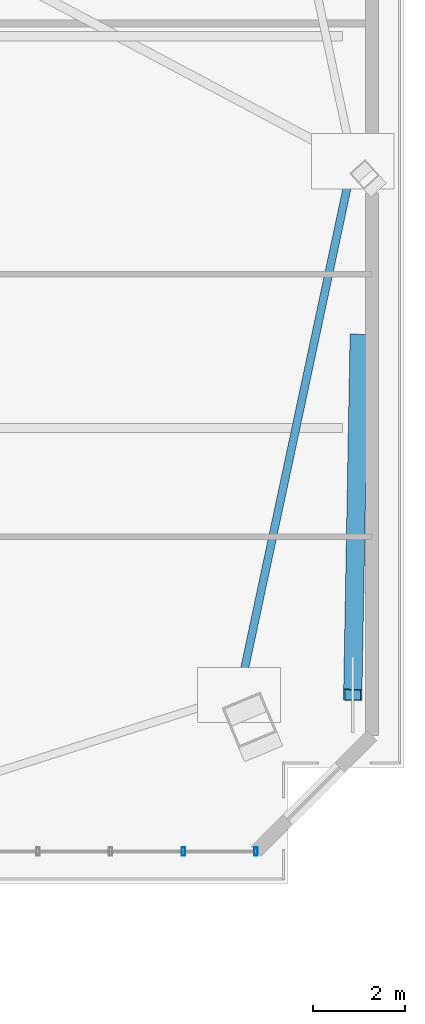
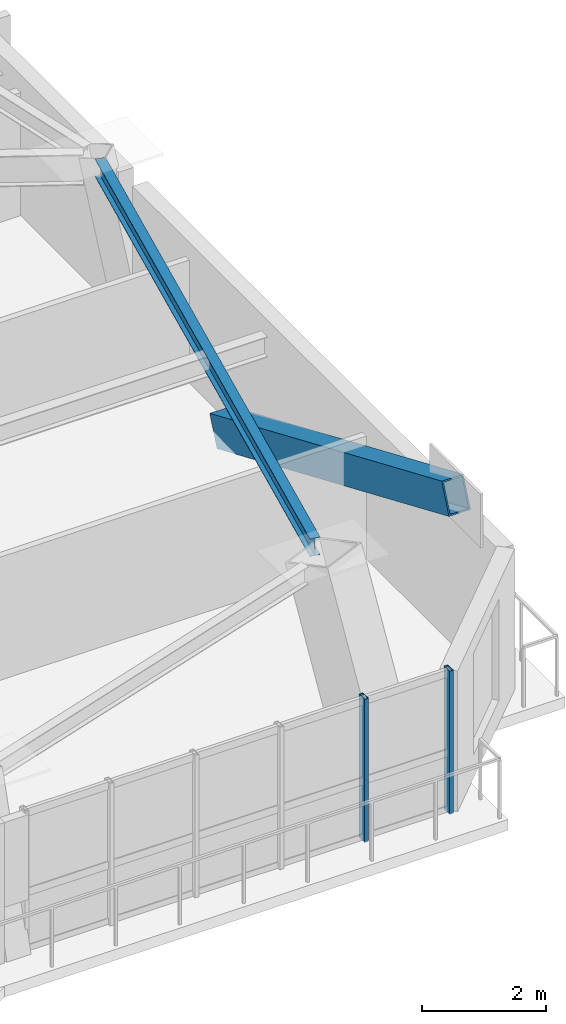
# One storey, part 6 of 15: 3 members, 1 beam, 1 element without a shape of its own.
"""IFC4 building model written with IfcOpenShell, lengths in metres."""

from ifc_helpers import new_model, si_unit, direction, frame, origin, origin_2d, place, context, subcontext, project, spatial, hollow_rectangle, i_section, extrude, source, transform, mapped, material, layer, layer_set, material_profile, profile_set, type_object, element, aggregate, save


model = new_model("IFC4")

# Units and contexts
model_context = context("Model", 3, precision=1e-05, world=origin(), true_north=direction((0.0, 1.0)))
body_context = subcontext(model_context, "Body", "Model", "MODEL_VIEW")
ifc_project = project(units=[si_unit("LENGTHUNIT", "METRE"), si_unit("AREAUNIT", "SQUARE_METRE"), si_unit("VOLUMEUNIT", "CUBIC_METRE"), si_unit("PLANEANGLEUNIT", "RADIAN"), si_unit("MASSUNIT", "GRAM", prefix="KILO")], contexts=[model_context])

# Site, building, storey
site_placement = place(None, origin())
site = spatial("IfcSite", under=ifc_project, at=site_placement, CompositionType="ELEMENT")
building_placement = place(site_placement, origin())
building = spatial("IfcBuilding", under=site, at=building_placement, Name="Giltprow Tower", CompositionType="ELEMENT")
storey_placement = place(building_placement, frame((0.0, 0.0, 275.699951171875)))
storey = spatial("IfcBuildingStorey", under=building, at=storey_placement, Name="L71", CompositionType="ELEMENT", Elevation=275.699951171875)

# Beam
ifc_material_1 = material(Name="Structural steel Q355B", Category="steel")
ifc_material_profile_1 = material_profile(ifc_material_1, i_section(OverallWidth=0.175048828125, OverallDepth=0.35009765625, WebThickness=0.007080078125, FlangeThickness=0.010986328125, at=origin_2d()), Name="HN 350x175x7x11")
ifc_profile_set_1 = profile_set([ifc_material_profile_1], Name="Structural steel Q355B")
beam_type = type_object("IfcBeamType", Name="BM-SPAN-HN350", PredefinedType="SPANDREL", material=ifc_profile_set_1)
shared_shape_1 = source(origin(), body_context, "Body", "SweptSolid", [
    extrude(i_section(OverallWidth=0.175048828125, OverallDepth=0.35009765625, WebThickness=0.007080078125, FlangeThickness=0.010986328125, at=origin_2d()), origin(), (0.0, 0.0, 1.0), 11.23583984375),
])
beam_placement = place(storey_placement, frame((58.405029296875, 20.81005859375, 2.965087890625), z_axis=(0.208444216546, 0.97803425737, 0.0), x_axis=(-0.97803425737, 0.208444216546, 0.0)))
element("IfcBeam", 1, at=beam_placement, inside=storey, type_object=beam_type, Name="L71 Perimeter Spandrel Beam MC_SE-E_MID", PredefinedType="SPANDREL", context=body_context, shape_type="MappedRepresentation", body=[
    mapped(shared_shape_1, transform((0.0, 0.0, 0.0), x_axis=(1.0, 0.0, 0.0), y_axis=(0.0, 1.0, 0.0), z_axis=(0.0, 0.0, 1.0), scale=1.0)),
])

# Member
ifc_material_2 = material(Name="Structural steel Q420GJC", Category="steel")
ifc_material_profile_2 = material_profile(ifc_material_2, hollow_rectangle(XDim=0.39990234375, YDim=0.60009765625, WallThickness=0.028076171875, at=origin_2d()), Name="RHS 600x400x28")
ifc_profile_set_2 = profile_set([ifc_material_profile_2], Name="Structural steel Q420GJC")
member_type_1 = type_object("IfcMemberType", Name="MBR-MEGA-RHS600", PredefinedType="BRACE", material=ifc_profile_set_2)
shared_shape_2 = source(origin(), body_context, "Body", "SweptSolid", [
    extrude(hollow_rectangle(XDim=0.39990234375, YDim=0.60009765625, WallThickness=0.028076171875, at=origin_2d()), origin(), (0.0, 0.0, 1.0), 8.44677734375),
])
member_1_placement = place(storey_placement, frame((60.929931640625, 28.115966796875, 0.0), z_axis=(-0.016446043924, -0.915255583313, 0.402537880023), x_axis=(0.999838600208, -0.017965899183, 0.0)))
element("IfcMember", 2, at=member_1_placement, inside=storey, type_object=member_type_1, Name="L71 Chevron Mega-Brace E-D", PredefinedType="BRACE", context=body_context, shape_type="MappedRepresentation", body=[
    mapped(shared_shape_2, transform((0.0, 0.0, 0.0), x_axis=(1.0, 0.0, 0.0), y_axis=(0.0, 1.0, 0.0), z_axis=(0.0, 0.0, 1.0), scale=1.0)),
])

# Curtain wall, members
ifc_material_3 = material(Name="Anodized bronze", Category="metal")
ifc_layer = layer(ifc_material_3, 0.179931640625, Name="Anodized bronze")
ifc_layer_set = layer_set([ifc_layer], Name="Anodized bronze")
curtain_wall_type = type_object("IfcCurtainWallType", Name="CW-RES-SKY", PredefinedType="NOTDEFINED", material=ifc_layer_set)
curtain_wall_placement = place(storey_placement, origin())
curtain_wall = element("IfcCurtainWall", 3, at=curtain_wall_placement, inside=storey, type_object=curtain_wall_type, Name="L71 South Recessed Curtain Wall 6", PredefinedType="NOTDEFINED")
ifc_material_profile_3 = material_profile(ifc_material_3, hollow_rectangle(XDim=0.074951171875, YDim=0.179931640625, WallThickness=0.008056640625, at=origin_2d()), Name="RHS 180x75x8")
ifc_profile_set_3 = profile_set([ifc_material_profile_3], Name="Anodized bronze")
member_type_2 = type_object("IfcMemberType", Name="CW-MULLION-180x75", PredefinedType="MULLION", material=ifc_profile_set_3)
shared_shape_3 = source(origin(), body_context, "Body", "SweptSolid", [
    extrude(hollow_rectangle(XDim=0.074951171875, YDim=0.179931640625, WallThickness=0.008056640625, at=origin_2d()), origin(), (0.0, 0.0, 1.0), 2.824951171875),
])
member_2_placement = place(storey_placement, frame((57.10205078125, 16.97607421875, -0.02001953125), z_axis=(0.0, 0.0, 1.0), x_axis=(1.0, 0.0, 0.0)))
member_2 = element("IfcMember", 4, at=member_2_placement, type_object=member_type_2, Name="L71 South Recessed Curtain Wall 6 Mullion 5", PredefinedType="MULLION", context=body_context, shape_type="MappedRepresentation", body=[
    mapped(shared_shape_3, transform((0.0, 0.0, 0.0), x_axis=(1.0, 0.0, 0.0), y_axis=(0.0, 1.0, 0.0), z_axis=(0.0, 0.0, 1.0), scale=1.0)),
])
member_3_placement = place(storey_placement, frame((58.68408203125, 16.97607421875, -0.02001953125), z_axis=(0.0, 0.0, 1.0), x_axis=(1.0, 0.0, 0.0)))
member_3 = element("IfcMember", 5, at=member_3_placement, type_object=member_type_2, Name="L71 South Recessed Curtain Wall 6 Mullion 6", PredefinedType="MULLION", context=body_context, shape_type="MappedRepresentation", body=[
    mapped(shared_shape_3, transform((0.0, 0.0, 0.0), x_axis=(1.0, 0.0, 0.0), y_axis=(0.0, 1.0, 0.0), z_axis=(0.0, 0.0, 1.0), scale=1.0)),
])
aggregate(curtain_wall, [member_2, member_3])

save(model, "model.ifc")
